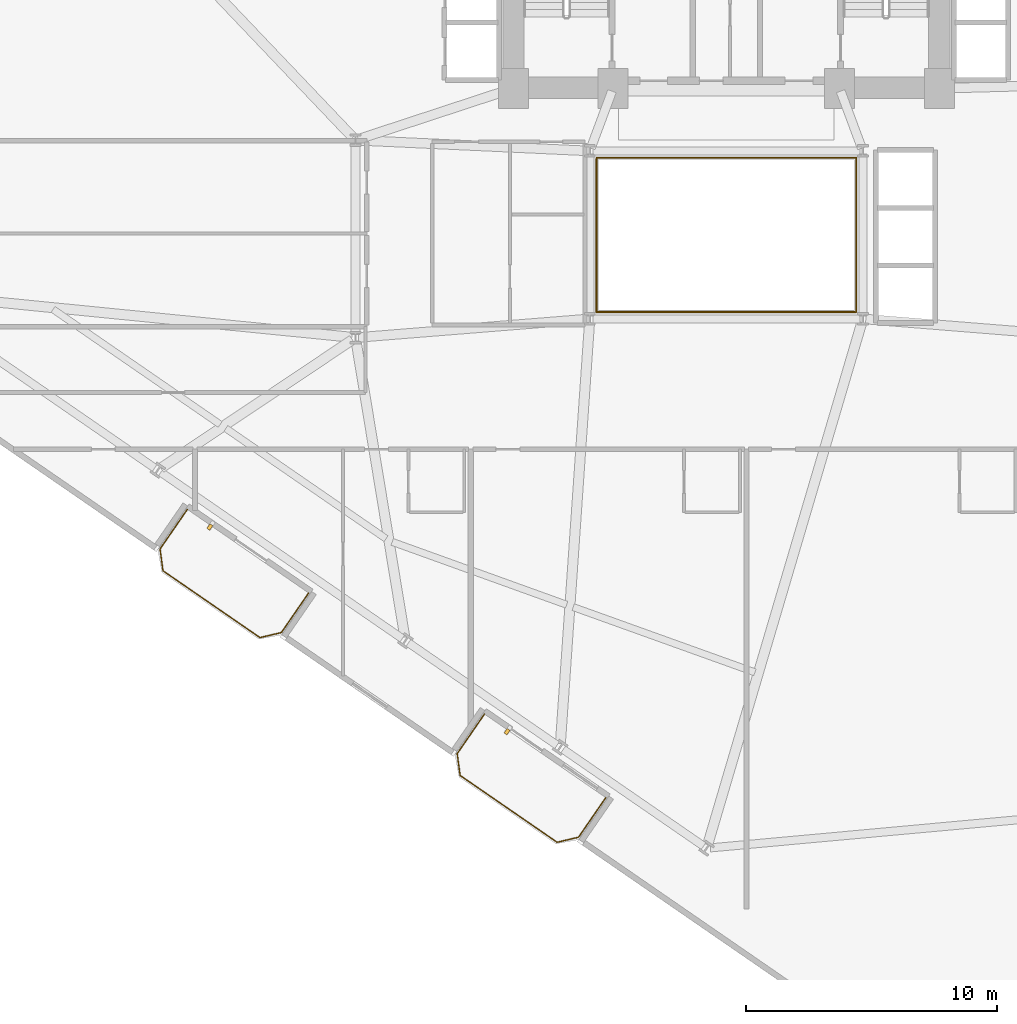
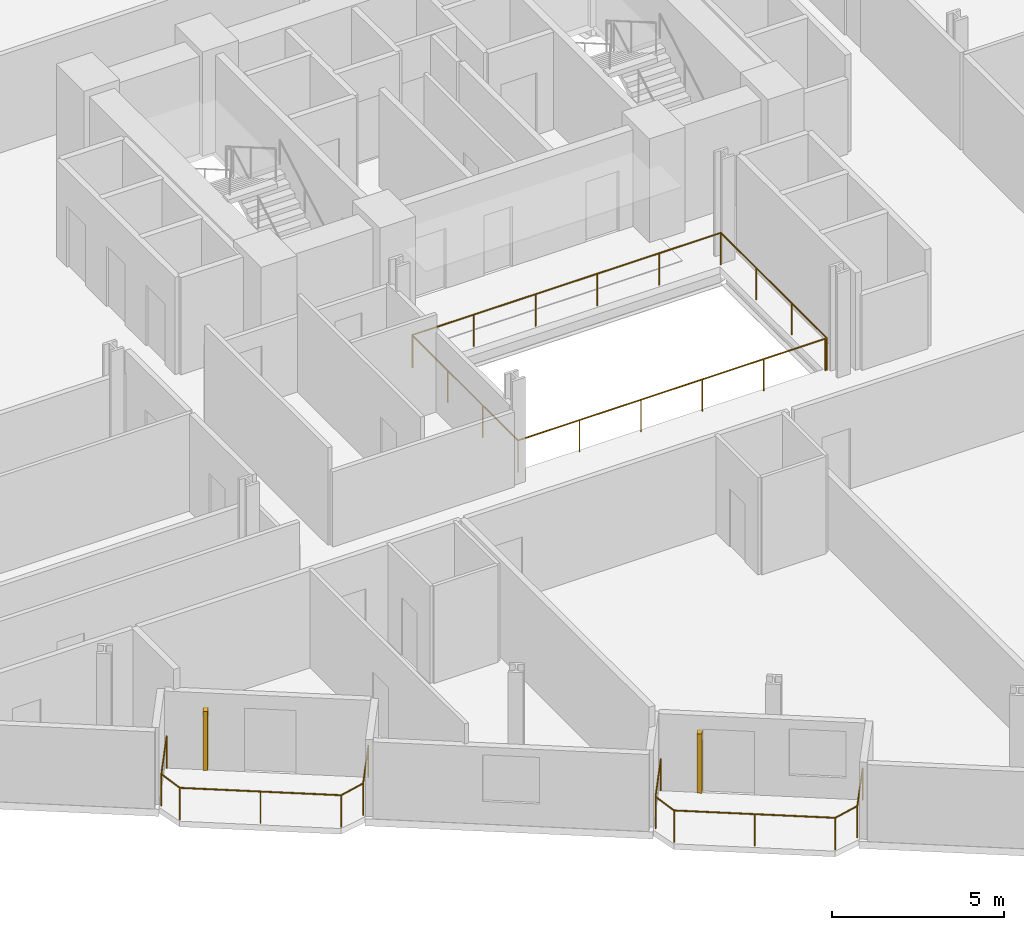
# One storey, part 22 of 24: 4 railings, 2 shading devices.
"""IFC4 building model written with IfcOpenShell, lengths in metres."""

from ifc_helpers import new_model, si_unit, direction, frame, origin, origin_2d, place, context, subcontext, project, spatial, rectangle, circle, extrude, source, transform, mapped, material, type_object, element, save


model = new_model("IFC4")

# Units and contexts
model_context = context("Model", 3, precision=1e-05, world=origin(), true_north=direction((0.0, 1.0)))
body_context = subcontext(model_context, "Body", "Model", "MODEL_VIEW")
ifc_project = project(units=[si_unit("LENGTHUNIT", "METRE"), si_unit("AREAUNIT", "SQUARE_METRE"), si_unit("VOLUMEUNIT", "CUBIC_METRE"), si_unit("PLANEANGLEUNIT", "RADIAN"), si_unit("MASSUNIT", "GRAM", prefix="KILO")], contexts=[model_context])

# Site, building, storey
site_placement = place(None, origin())
site = spatial("IfcSite", under=ifc_project, at=site_placement, CompositionType="ELEMENT")
building_placement = place(site_placement, origin())
building = spatial("IfcBuilding", under=site, at=building_placement, Name="Varnelok Gate Tower", CompositionType="ELEMENT")
storey_placement = place(building_placement, frame((0.0, 0.0, 38.10009765625)))
storey = spatial("IfcBuildingStorey", under=building, at=storey_placement, Name="L08", CompositionType="ELEMENT", Elevation=38.10009765625)

# Railings
ifc_material_1 = material(Name="Tempered Laminated Balustrade Glass", Category="glass")
railing_type_1 = type_object("IfcRailingType", Name="RL-ATR-GUARD1150", PredefinedType="GUARDRAIL", material=ifc_material_1)
railing_1_placement = place(storey_placement, frame((34.02001953125, 25.929931640625, 0.0)))
element("IfcRailing", 1, at=railing_1_placement, inside=storey, type_object=railing_type_1, Name="L08 Internal Atrium South-West Guardrail", PredefinedType="GUARDRAIL", context=body_context, shape_type="SweptSolid", body=[
    extrude(circle(Radius=0.02392578125, at=origin_2d()), frame((0.0, 0.0, 1.1259765625), z_axis=(0.0, -1.0, 0.0), x_axis=(1.0, 0.0, 0.0)), (0.0, 0.0, 1.0), 6.10986328125),
    extrude(circle(Radius=0.02392578125, at=origin_2d()), frame((0.0, -6.10986328125, 1.1259765625), z_axis=(1.0, 0.0, 0.0), x_axis=(0.0, 1.0, 0.0)), (0.0, 0.0, 1.0), 10.31005859375),
    extrude(circle(Radius=0.02099609375, at=origin_2d()), origin(), (0.0, 0.0, 1.0), 1.101806640625),
    extrude(circle(Radius=0.02099609375, at=origin_2d()), frame((0.0, -2.03662109375, 0.0)), (0.0, 0.0, 1.0), 1.101806640625),
    extrude(circle(Radius=0.02099609375, at=origin_2d()), frame((0.0, -4.0732421875, 0.0)), (0.0, 0.0, 1.0), 1.101806640625),
    extrude(circle(Radius=0.02099609375, at=origin_2d()), frame((0.0, -6.10986328125, 0.0)), (0.0, 0.0, 1.0), 1.101806640625),
    extrude(circle(Radius=0.02099609375, at=origin_2d()), frame((2.06201171875, -6.10986328125, 0.0)), (0.0, 0.0, 1.0), 1.101806640625),
    extrude(circle(Radius=0.02099609375, at=origin_2d()), frame((4.1240234375, -6.10986328125, 0.0)), (0.0, 0.0, 1.0), 1.101806640625),
    extrude(circle(Radius=0.02099609375, at=origin_2d()), frame((6.18603515625, -6.10986328125, 0.0)), (0.0, 0.0, 1.0), 1.101806640625),
    extrude(circle(Radius=0.02099609375, at=origin_2d()), frame((8.248046875, -6.10986328125, 0.0)), (0.0, 0.0, 1.0), 1.101806640625),
    extrude(circle(Radius=0.02099609375, at=origin_2d()), frame((10.31005859375, -6.10986328125, 0.0)), (0.0, 0.0, 1.0), 1.101806640625),
])
railing_2_placement = place(storey_placement, frame((44.3798828125, 19.820068359375, 0.0)))
element("IfcRailing", 2, at=railing_2_placement, inside=storey, type_object=railing_type_1, Name="L08 Internal Atrium North-East Guardrail", PredefinedType="GUARDRAIL", context=body_context, shape_type="SweptSolid", body=[
    extrude(circle(Radius=0.02392578125, at=origin_2d()), frame((0.0, 0.0, 1.1259765625), z_axis=(0.0, 1.0, 0.0), x_axis=(-1.0, 0.0, 0.0)), (0.0, 0.0, 1.0), 6.159912109375),
    extrude(circle(Radius=0.02392578125, at=origin_2d()), frame((0.0, 6.159912109375, 1.1259765625), z_axis=(-1.0, 0.0, 0.0), x_axis=(0.0, -1.0, 0.0)), (0.0, 0.0, 1.0), 10.35986328125),
    extrude(circle(Radius=0.02099609375, at=origin_2d()), origin(), (0.0, 0.0, 1.0), 1.101806640625),
    extrude(circle(Radius=0.02099609375, at=origin_2d()), frame((0.0, 2.05322265625, 0.0)), (0.0, 0.0, 1.0), 1.101806640625),
    extrude(circle(Radius=0.02099609375, at=origin_2d()), frame((0.0, 4.106689453125, 0.0)), (0.0, 0.0, 1.0), 1.101806640625),
    extrude(circle(Radius=0.02099609375, at=origin_2d()), frame((0.0, 6.159912109375, 0.0)), (0.0, 0.0, 1.0), 1.101806640625),
    extrude(circle(Radius=0.02099609375, at=origin_2d()), frame((-2.072021484375, 6.159912109375, 0.0)), (0.0, 0.0, 1.0), 1.101806640625),
    extrude(circle(Radius=0.02099609375, at=origin_2d()), frame((-4.14404296875, 6.159912109375, 0.0)), (0.0, 0.0, 1.0), 1.101806640625),
    extrude(circle(Radius=0.02099609375, at=origin_2d()), frame((-6.2158203125, 6.159912109375, 0.0)), (0.0, 0.0, 1.0), 1.101806640625),
    extrude(circle(Radius=0.02099609375, at=origin_2d()), frame((-8.287841796875, 6.159912109375, 0.0)), (0.0, 0.0, 1.0), 1.101806640625),
    extrude(circle(Radius=0.02099609375, at=origin_2d()), frame((-10.35986328125, 6.159912109375, 0.0)), (0.0, 0.0, 1.0), 1.101806640625),
])
ifc_material_2 = material(Name="Low-E Laminated Double Glazing IGU", Category="glass")
railing_type_2 = type_object("IfcRailingType", Name="RL-BALC-1150", PredefinedType="BALUSTRADE", material=ifc_material_2)
railing_3_placement = place(storey_placement, frame((17.688720703125, 11.9462890625, 0.0)))
element("IfcRailing", 3, at=railing_3_placement, inside=storey, type_object=railing_type_2, Name="L08 South Terrace Balustrade 1", PredefinedType="BALUSTRADE", context=body_context, shape_type="SweptSolid", body=[
    extrude(circle(Radius=0.02392578125, at=origin_2d()), frame((0.0, 0.0, 1.1259765625), z_axis=(-0.567224752248, -0.823563039747, 0.0), x_axis=(0.823563039747, -0.567224752248, 0.0)), (0.0, 0.0, 1.0), 1.920166015625),
    extrude(circle(Radius=0.02392578125, at=origin_2d()), frame((-1.089111328125, -1.581298828125, 1.1259765625), z_axis=(0.133511834152, -0.991047218926, 0.0), x_axis=(0.991047218926, 0.133511834152, 0.0)), (0.0, 0.0, 1.0), 0.877685546875),
    extrude(circle(Radius=0.02392578125, at=origin_2d()), frame((-0.971923828125, -2.451171875, 1.1259765625), z_axis=(0.823523239622, -0.567282534371, 0.0), x_axis=(0.567282534371, 0.823523239622, 0.0)), (0.0, 0.0, 1.0), 4.699951171875),
    extrude(circle(Radius=0.02392578125, at=origin_2d()), frame((2.898681640625, -5.117431640625, 1.1259765625), z_axis=(0.973573806257, 0.228372598553, 0.0), x_axis=(-0.228372598553, 0.973573806257, 0.0)), (0.0, 0.0, 1.0), 0.877685546875),
    extrude(circle(Radius=0.02392578125, at=origin_2d()), frame((3.753173828125, -4.9169921875, 1.1259765625), z_axis=(0.567224752248, 0.823563039747, 0.0), x_axis=(-0.823563039747, 0.567224752248, 0.0)), (0.0, 0.0, 1.0), 1.920166015625),
    extrude(circle(Radius=0.02099609375, at=origin_2d()), origin(), (0.0, 0.0, 1.0), 1.101806640625),
    extrude(circle(Radius=0.02099609375, at=origin_2d()), frame((-1.089111328125, -1.581298828125, 0.0)), (0.0, 0.0, 1.0), 1.101806640625),
    extrude(circle(Radius=0.02099609375, at=origin_2d()), frame((-0.971923828125, -2.451171875, 0.0)), (0.0, 0.0, 1.0), 1.101806640625),
    extrude(circle(Radius=0.02099609375, at=origin_2d()), frame((0.96337890625, -3.7841796875, 0.0)), (0.0, 0.0, 1.0), 1.101806640625),
    extrude(circle(Radius=0.02099609375, at=origin_2d()), frame((2.898681640625, -5.117431640625, 0.0)), (0.0, 0.0, 1.0), 1.101806640625),
    extrude(circle(Radius=0.02099609375, at=origin_2d()), frame((3.753173828125, -4.9169921875, 0.0)), (0.0, 0.0, 1.0), 1.101806640625),
    extrude(circle(Radius=0.02099609375, at=origin_2d()), frame((4.84228515625, -3.335693359375, 0.0)), (0.0, 0.0, 1.0), 1.101806640625),
])
railing_4_placement = place(storey_placement, frame((29.547607421875, 3.777587890625, 0.0)))
element("IfcRailing", 4, at=railing_4_placement, inside=storey, type_object=railing_type_2, Name="L08 South Terrace Balustrade 2", PredefinedType="BALUSTRADE", context=body_context, shape_type="SweptSolid", body=[
    extrude(circle(Radius=0.02392578125, at=origin_2d()), frame((0.0, 0.0, 1.1259765625), z_axis=(-0.567224752248, -0.823563039747, 0.0), x_axis=(0.823563039747, -0.567224752248, 0.0)), (0.0, 0.0, 1.0), 1.920166015625),
    extrude(circle(Radius=0.02392578125, at=origin_2d()), frame((-1.089111328125, -1.581298828125, 1.1259765625), z_axis=(0.133511834152, -0.991047218926, 0.0), x_axis=(0.991047218926, 0.133511834152, 0.0)), (0.0, 0.0, 1.0), 0.877685546875),
    extrude(circle(Radius=0.02392578125, at=origin_2d()), frame((-0.971923828125, -2.451171875, 1.1259765625), z_axis=(0.823523239622, -0.567282534371, 0.0), x_axis=(0.567282534371, 0.823523239622, 0.0)), (0.0, 0.0, 1.0), 4.699951171875),
    extrude(circle(Radius=0.02392578125, at=origin_2d()), frame((2.898681640625, -5.117431640625, 1.1259765625), z_axis=(0.973511928193, 0.228636229993, 0.0), x_axis=(-0.228636229993, 0.973511928193, 0.0)), (0.0, 0.0, 1.0), 0.877685546875),
    extrude(circle(Radius=0.02392578125, at=origin_2d()), frame((3.753173828125, -4.916748046875, 1.1259765625), z_axis=(0.567284155424, 0.82352212296, 0.0), x_axis=(-0.82352212296, 0.567284155424, 0.0)), (0.0, 0.0, 1.0), 1.919921875),
    extrude(circle(Radius=0.02099609375, at=origin_2d()), origin(), (0.0, 0.0, 1.0), 1.101806640625),
    extrude(circle(Radius=0.02099609375, at=origin_2d()), frame((-1.089111328125, -1.581298828125, 0.0)), (0.0, 0.0, 1.0), 1.101806640625),
    extrude(circle(Radius=0.02099609375, at=origin_2d()), frame((-0.971923828125, -2.451171875, 0.0)), (0.0, 0.0, 1.0), 1.101806640625),
    extrude(circle(Radius=0.02099609375, at=origin_2d()), frame((0.96337890625, -3.7841796875, 0.0)), (0.0, 0.0, 1.0), 1.101806640625),
    extrude(circle(Radius=0.02099609375, at=origin_2d()), frame((2.898681640625, -5.117431640625, 0.0)), (0.0, 0.0, 1.0), 1.101806640625),
    extrude(circle(Radius=0.02099609375, at=origin_2d()), frame((3.753173828125, -4.916748046875, 0.0)), (0.0, 0.0, 1.0), 1.101806640625),
    extrude(circle(Radius=0.02099609375, at=origin_2d()), frame((4.84228515625, -3.335693359375, 0.0)), (0.0, 0.0, 1.0), 1.101806640625),
])

# Shading devices
ifc_material_3 = material(Name="Glazed Architectural Terracotta Ceramic", Category="masonry")
shading_device_type = type_object("IfcShadingDeviceType", Name="SHD-TERRA-BAGUETTE", PredefinedType="USERDEFINED", material=ifc_material_3)
shared_shape = source(origin(), body_context, "Body", "SweptSolid", [
    extrude(rectangle(XDim=0.139892578125, YDim=0.219970703125, at=origin_2d()), origin(), (0.0, 0.0, 1.0), 2.10009765625),
])
for number, where, z_axis, x_axis, name in (
    (5, (18.587890625, 11.24169921875, 0.099853515625), (0.0, 0.0, 1.0), (0.823532597628, -0.567268949127, 0.0), "L08 Terracotta Ceramic Baguette Sunscreen 1.1"),
    (6, (30.44677734375, 3.072998046875, 0.099853515625), (0.0, 0.0, 1.0), (0.823532597628, -0.567268949127, 0.0), "L08 Terracotta Ceramic Baguette Sunscreen 2.1"),
):
    element("IfcShadingDevice", number, at=place(storey_placement, frame(where, z_axis=z_axis, x_axis=x_axis)), inside=storey, type_object=shading_device_type, Name=name, ObjectType="BAGUETTE", PredefinedType="USERDEFINED", context=body_context, shape_type="MappedRepresentation", body=[
        mapped(shared_shape, transform((0.0, 0.0, 0.0), scale=1.0)),
    ])

save(model, "model.ifc")
